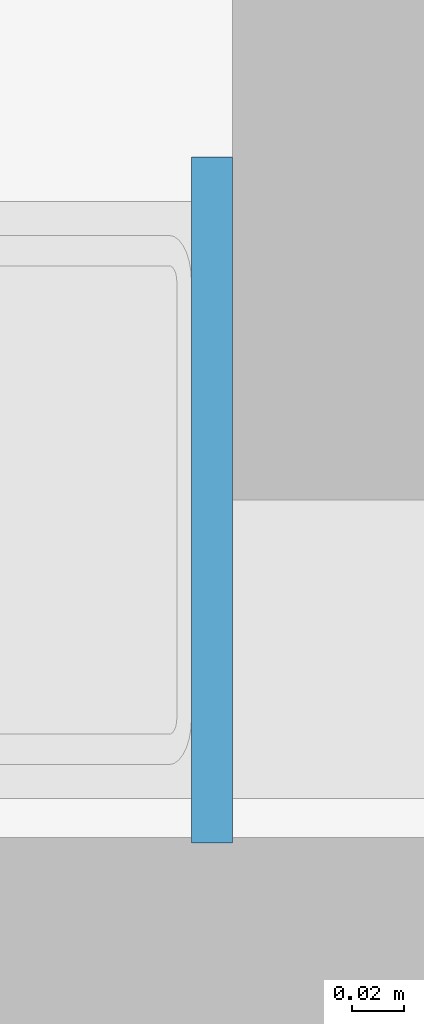
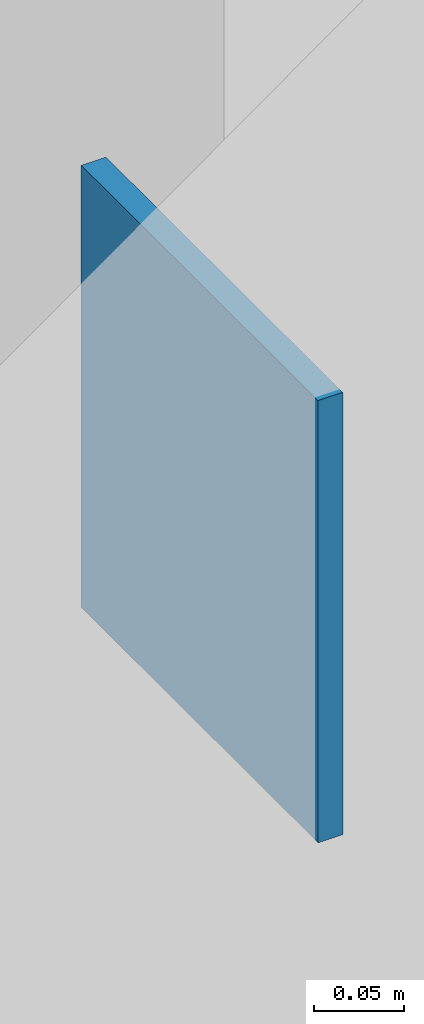
# One storey, part 54 of 127: 1 plate.
"""IFC4 building model written with IfcOpenShell, lengths in metres."""

from ifc_helpers import new_model, si_unit, direction, frame, origin, origin_2d, place, context, subcontext, project, spatial, rectangle, extrude, material, layer, layer_set, type_object, element, save


model = new_model("IFC4")

# Units and contexts
model_context = context("Model", 3, precision=1e-05, world=origin(), true_north=direction((0.0, 1.0)))
body_context = subcontext(model_context, "Body", "Model", "MODEL_VIEW")
ifc_project = project(units=[si_unit("LENGTHUNIT", "METRE"), si_unit("AREAUNIT", "SQUARE_METRE"), si_unit("VOLUMEUNIT", "CUBIC_METRE"), si_unit("PLANEANGLEUNIT", "RADIAN"), si_unit("MASSUNIT", "GRAM", prefix="KILO")], contexts=[model_context])

# Site, building, storey
site_placement = place(None, origin())
site = spatial("IfcSite", under=ifc_project, at=site_placement, CompositionType="ELEMENT")
building_placement = place(site_placement, origin())
building = spatial("IfcBuilding", under=site, at=building_placement, Name="Ljudholm Concert House", CompositionType="ELEMENT")
storey_placement = place(building_placement, origin())
storey = spatial("IfcBuildingStorey", under=building, at=storey_placement, Name="L00", CompositionType="ELEMENT", Elevation=0.0)

# Plate
ifc_material = material(Name="Steel ASTM A36", Category="steel")
ifc_layer = layer(ifc_material, 0.015869140625)
ifc_layer_set = layer_set([ifc_layer], Name="Steel ASTM A36")
plate_type = type_object("IfcPlateType", Name="EMBED PLATE 16x263x300", PredefinedType="SHEET", material=ifc_layer_set)
plate_placement = place(storey_placement, frame((118.192138671875, 4.0, 2.8642578125), z_axis=(0.0, 0.0, 1.0), x_axis=(1.0, 0.0, 0.0)))
element("IfcPlate", 1, at=plate_placement, inside=storey, type_object=plate_type, Name="Brace embed plate", PredefinedType="SHEET", context=body_context, shape_type="SweptSolid", body=[
    extrude(rectangle(XDim=0.015869140625, YDim=0.26318359375, at=origin_2d()), origin(), (0.0, 0.0, 1.0), 0.300048828125),
])

save(model, "model.ifc")
